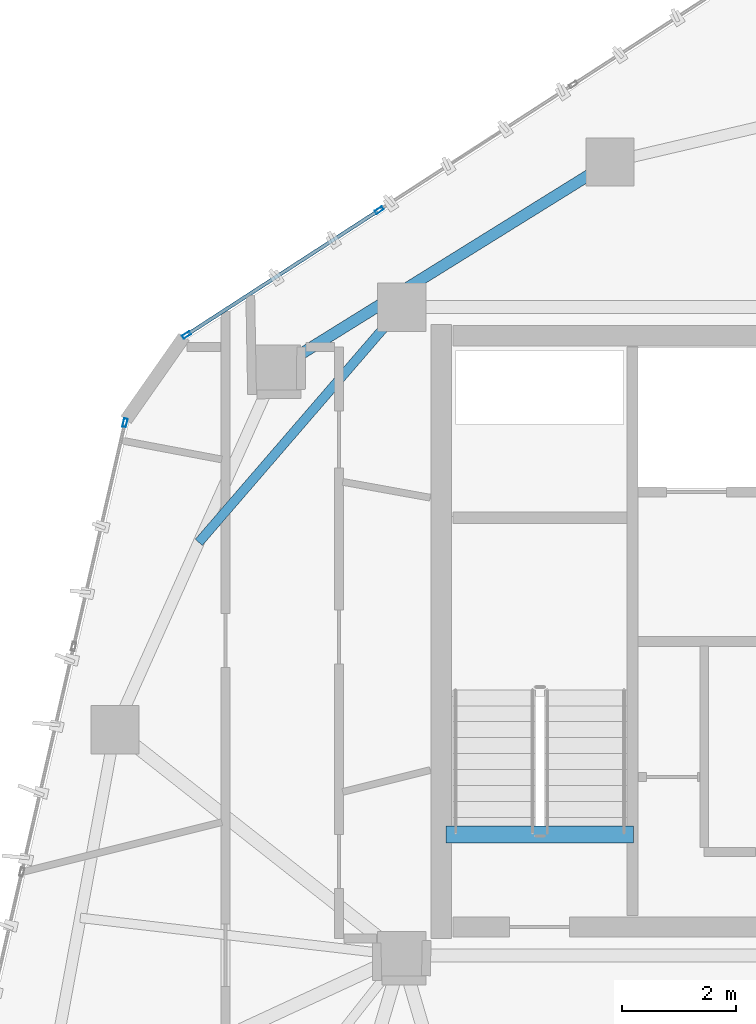
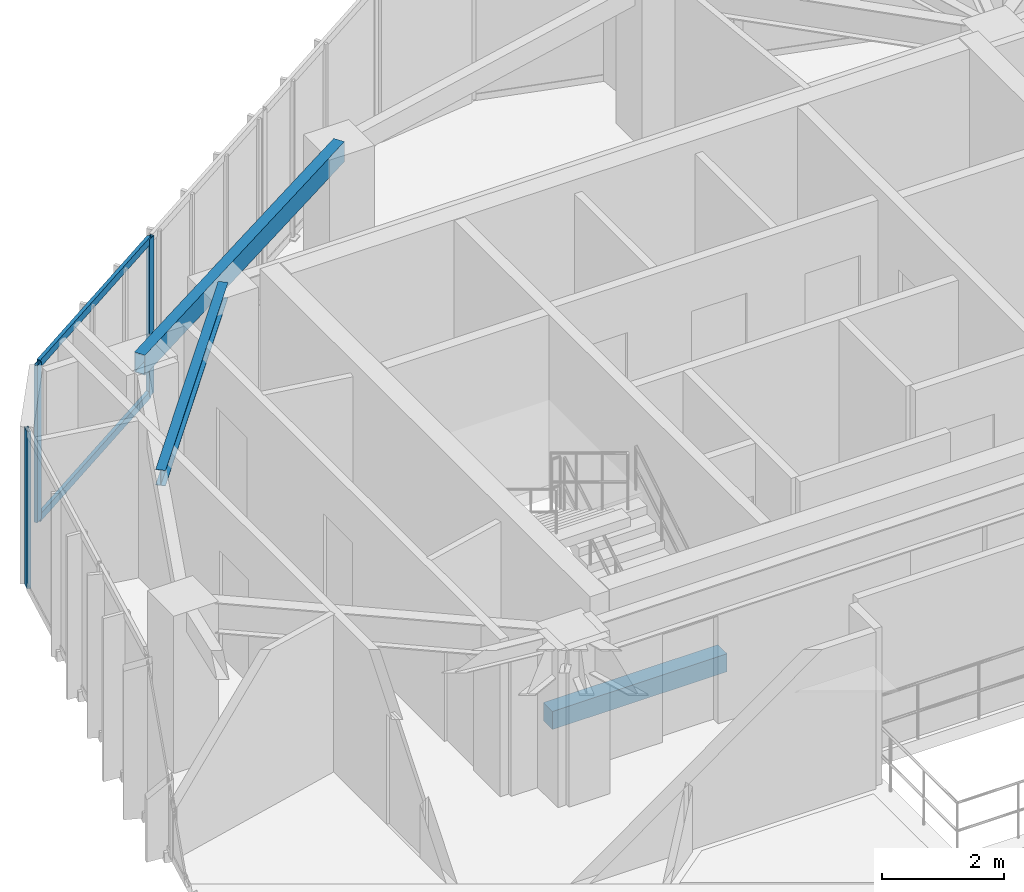
# One storey, part 9 of 20: 5 members, 3 beams, 2 elements without a shape of their own.
"""IFC4 building model written with IfcOpenShell, lengths in metres."""

from ifc_helpers import new_model, si_unit, direction, frame, origin, origin_2d, place, context, subcontext, project, spatial, rectangle, hollow_rectangle, i_section, extrude, source, transform, mapped, material, layer, layer_set, material_profile, profile_set, type_object, type_shapes, element, aggregate, save


model = new_model("IFC4")

# Units and contexts
model_context = context("Model", 3, precision=1e-05, world=origin(), true_north=direction((0.0, 1.0)))
body_context = subcontext(model_context, "Body", "Model", "MODEL_VIEW")
ifc_project = project(units=[si_unit("LENGTHUNIT", "METRE"), si_unit("AREAUNIT", "SQUARE_METRE"), si_unit("VOLUMEUNIT", "CUBIC_METRE"), si_unit("PLANEANGLEUNIT", "RADIAN"), si_unit("MASSUNIT", "GRAM", prefix="KILO")], contexts=[model_context])

# Site, building, storey
site_placement = place(None, origin())
site = spatial("IfcSite", under=ifc_project, at=site_placement, CompositionType="ELEMENT")
building_placement = place(site_placement, origin())
building = spatial("IfcBuilding", under=site, at=building_placement, Name="Talar Marvaseh", CompositionType="ELEMENT")
storey_placement = place(building_placement, frame((0.0, 0.0, 247.60009765625)))
storey = spatial("IfcBuildingStorey", under=building, at=storey_placement, Name="L65", CompositionType="ELEMENT", Elevation=247.60009765625)

# Beams
ifc_material_1 = material(Name="Concrete C40/50", Category="concrete")
ifc_material_profile_1 = material_profile(ifc_material_1, rectangle(XDim=0.300048828125, YDim=0.360107421875, at=origin_2d()), Name="RC300x360")
ifc_profile_set_1 = profile_set([ifc_material_profile_1], Name="Concrete C40/50")
beam_type_1 = type_object("IfcBeamType", Name="Concrete Stair Landing Trimmer Beam RC300x360", PredefinedType="SPANDREL", material=ifc_profile_set_1)
beam_1_placement = place(storey_placement, frame((22.780029296875, 27.6298828125, -0.18017578125), z_axis=(-1.0, 0.0, 0.0), x_axis=(0.0, -1.0, 0.0)))
element("IfcBeam", 1, at=beam_1_placement, inside=storey, type_object=beam_type_1, Name="L65 ST-1 Stair Nosing Trimmer Beam", PredefinedType="SPANDREL", context=body_context, shape_type="SweptSolid", body=[
    extrude(rectangle(XDim=0.300048828125, YDim=0.360107421875, at=origin_2d()), origin(), (0.0, 0.0, 1.0), 3.300048828125),
])
ifc_material_2 = material(Name="Steel S355", Category="steel")
ifc_material_profile_2 = material_profile(ifc_material_2, hollow_rectangle(XDim=0.199951171875, YDim=0.39990234375, WallThickness=0.013916015625, at=origin_2d()), Name="RHS400x200x14")
ifc_profile_set_2 = profile_set([ifc_material_profile_2], Name="Steel S355")
beam_type_2 = type_object("IfcBeamType", Name="Zone 3 Perimeter Spandrel Beam RHS400x200x14", PredefinedType="SPANDREL", material=ifc_profile_set_2)
beam_2_placement = place(storey_placement, frame((16.493896484375, 35.806884765625, 2.93994140625), z_axis=(0.849439811678, 0.527685518407, 0.0), x_axis=(-0.527685518407, 0.849439811678, 0.0)))
element("IfcBeam", 2, at=beam_2_placement, inside=storey, type_object=beam_type_2, Name="L65 Zone 3 Perimeter Spandrel Beam RHS400x200x14", PredefinedType="SPANDREL", context=body_context, shape_type="SweptSolid", body=[
    extrude(hollow_rectangle(XDim=0.199951171875, YDim=0.39990234375, WallThickness=0.013916015625, at=origin_2d()), origin(), (0.0, 0.0, 1.0), 6.91162109375),
])
ifc_material_profile_3 = material_profile(ifc_material_2, i_section(OverallWidth=0.166015625, OverallDepth=0.31298828125, WebThickness=0.006591796875, FlangeThickness=0.01123046875, at=origin_2d()), Name="W310x45")
ifc_profile_set_3 = profile_set([ifc_material_profile_3], Name="Steel S355")
beam_type_3 = type_object("IfcBeamType", Name="Zone 3 Secondary Floor Joist W310x45", PredefinedType="JOIST", material=ifc_profile_set_3)
beam_3_placement = place(storey_placement, frame((15.1328125, 32.76513671875, 2.9833984375), z_axis=(0.653221697747, 0.757166701323, 0.0), x_axis=(-0.757166701323, 0.653221697747, 0.0)))
element("IfcBeam", 3, at=beam_3_placement, inside=storey, type_object=beam_type_3, Name="L65 Zone 3 Secondary Floor Joist W310x45", PredefinedType="JOIST", context=body_context, shape_type="SweptSolid", body=[
    extrude(i_section(OverallWidth=0.166015625, OverallDepth=0.31298828125, WebThickness=0.006591796875, FlangeThickness=0.01123046875, at=origin_2d()), origin(), (0.0, 0.0, 1.0), 5.4609375),
])

# Curtain wall, member
ifc_material_3 = material(Name="Architectural Aluminium", Category="aluminium")
ifc_layer = layer(ifc_material_3, 0.179931640625)
ifc_layer_set = layer_set([ifc_layer], Name="Architectural Aluminium")
curtain_wall_type = type_object("IfcCurtainWallType", Name="Unitised High-Wind Sky Curtain Wall Z4", PredefinedType="NOTDEFINED", material=ifc_layer_set)
curtain_wall_1_placement = place(storey_placement, origin())
curtain_wall_1 = element("IfcCurtainWall", 4, at=curtain_wall_1_placement, inside=storey, type_object=curtain_wall_type, Name="L65 Unitised High-Wind Sky Curtain Wall Z4", PredefinedType="NOTDEFINED")
ifc_material_profile_4 = material_profile(ifc_material_3, hollow_rectangle(XDim=0.06494140625, YDim=0.14990234375, WallThickness=0.00390625, at=origin_2d()), Name="RHS150x65x4")
ifc_profile_set_4 = profile_set([ifc_material_profile_4], Name="Architectural Aluminium")
member_type_1 = type_object("IfcMemberType", Name="Unitised Curtain Wall Slim Mullion RHS150x65x4", PredefinedType="MULLION", material=ifc_profile_set_4)
shared_shape_1 = source(origin(), body_context, "Body", "SweptSolid", [
    extrude(hollow_rectangle(XDim=0.06494140625, YDim=0.14990234375, WallThickness=0.00390625, at=origin_2d()), origin(), (0.0, 0.0, 1.0), 3.139892578125),
])
type_shapes(member_type_1, [shared_shape_1])
member_1_placement = place(storey_placement, frame((13.835205078125, 34.86669921875, 0.0), z_axis=(0.0, 0.0, 1.0), x_axis=(-0.974636944465, 0.223791926761, 0.0)))
member_1 = element("IfcMember", 5, at=member_1_placement, type_object=member_type_1, Name="CW-Z4 mullion 4", PredefinedType="MULLION", context=body_context, shape_type="MappedRepresentation", body=[
    mapped(shared_shape_1, transform((0.0, 0.0, 0.0), x_axis=(1.0, 0.0, 0.0), y_axis=(0.0, 1.0, 0.0), z_axis=(0.0, 0.0, 1.0), scale=1.0)),
])
aggregate(curtain_wall_1, [member_1])

# Curtain wall, members
curtain_wall_2_placement = place(storey_placement, origin())
curtain_wall_2 = element("IfcCurtainWall", 6, at=curtain_wall_2_placement, inside=storey, type_object=curtain_wall_type, Name="L65 Unitised High-Wind Sky Curtain Wall Z4", PredefinedType="NOTDEFINED")
member_2_placement = place(storey_placement, frame((14.9169921875, 36.41162109375, 0.0), z_axis=(0.0, 0.0, 1.0), x_axis=(-0.543646288387, 0.839314430427, 0.0)))
member_2 = element("IfcMember", 7, at=member_2_placement, type_object=member_type_1, Name="CW-Z4 mullion 1", PredefinedType="MULLION", context=body_context, shape_type="MappedRepresentation", body=[
    mapped(shared_shape_1, transform((0.0, 0.0, 0.0), x_axis=(1.0, 0.0, 0.0), y_axis=(0.0, 1.0, 0.0), z_axis=(0.0, 0.0, 1.0), scale=1.0)),
])
member_3_placement = place(storey_placement, frame((18.3046875, 38.605712890625, 0.0), z_axis=(0.0, 0.0, 1.0), x_axis=(-0.543646288387, 0.839314430427, 0.0)))
member_3 = element("IfcMember", 8, at=member_3_placement, type_object=member_type_1, Name="CW-Z4 mullion 2", PredefinedType="MULLION", context=body_context, shape_type="MappedRepresentation", body=[
    mapped(shared_shape_1, transform((0.0, 0.0, 0.0), x_axis=(1.0, 0.0, 0.0), y_axis=(0.0, 1.0, 0.0), z_axis=(0.0, 0.0, 1.0), scale=1.0)),
])
ifc_material_profile_5 = material_profile(ifc_material_3, hollow_rectangle(XDim=0.06494140625, YDim=0.14990234375, WallThickness=0.00390625, at=origin_2d()), Name="RHS150x65x4")
ifc_profile_set_5 = profile_set([ifc_material_profile_5], Name="Architectural Aluminium")
member_type_2 = type_object("IfcMemberType", Name="Unitised Curtain Wall Slim Transom RHS150x65x4", PredefinedType="USERDEFINED", material=ifc_profile_set_5)
shared_shape_2 = source(origin(), body_context, "Body", "SweptSolid", [
    extrude(hollow_rectangle(XDim=0.06494140625, YDim=0.14990234375, WallThickness=0.00390625, at=origin_2d()), origin(), (0.0, 0.0, 1.0), 3.97119140625),
])
type_shapes(member_type_2, [shared_shape_2])
member_4_placement = place(storey_placement, frame((14.9443359375, 36.42919921875, 0.032470703125), z_axis=(0.839307799998, 0.543656524713, 0.0), x_axis=(-0.543656524713, 0.839307799998, 0.0)))
member_4 = element("IfcMember", 9, at=member_4_placement, type_object=member_type_2, Name="CW-Z4 transom 1.1", ObjectType="TRANSOM", PredefinedType="USERDEFINED", context=body_context, shape_type="MappedRepresentation", body=[
    mapped(shared_shape_2, transform((0.0, 0.0, 0.0), x_axis=(1.0, 0.0, 0.0), y_axis=(0.0, 1.0, 0.0), z_axis=(0.0, 0.0, 1.0), scale=1.0)),
])
member_5_placement = place(storey_placement, frame((14.9443359375, 36.42919921875, 3.107421875), z_axis=(0.839307799998, 0.543656524713, 0.0), x_axis=(-0.543656524713, 0.839307799998, 0.0)))
member_5 = element("IfcMember", 10, at=member_5_placement, type_object=member_type_2, Name="CW-Z4 transom 1.2", ObjectType="TRANSOM", PredefinedType="USERDEFINED", context=body_context, shape_type="MappedRepresentation", body=[
    mapped(shared_shape_2, transform((0.0, 0.0, 0.0), x_axis=(1.0, 0.0, 0.0), y_axis=(0.0, 1.0, 0.0), z_axis=(0.0, 0.0, 1.0), scale=1.0)),
])
aggregate(curtain_wall_2, [member_2, member_3, member_4, member_5])

save(model, "model.ifc")
